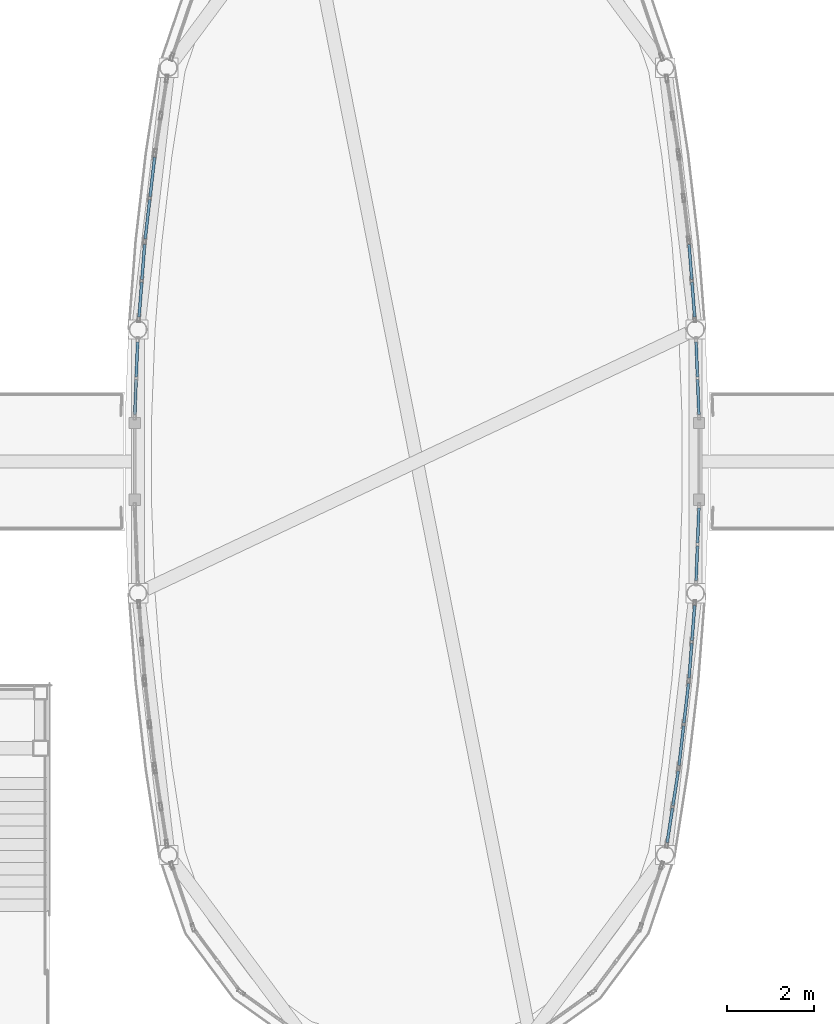
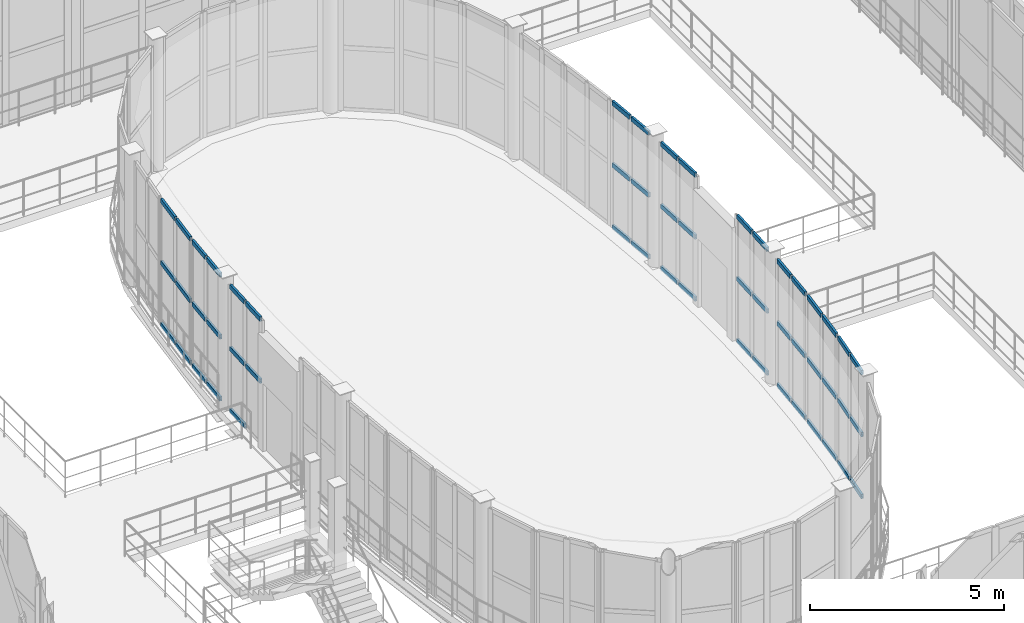
# One storey, part 74 of 121: 53 members, 9 elements without a shape of their own.
"""IFC4 building model written with IfcOpenShell, lengths in metres."""

from ifc_helpers import new_model, si_unit, direction, frame, origin, origin_2d, place, context, subcontext, project, spatial, hollow_rectangle, extrude, material, layer, layer_set, material_profile, profile_set, type_object, element, aggregate, save


model = new_model("IFC4")

# Units and contexts
model_context = context("Model", 3, precision=1e-05, world=origin(), true_north=direction((0.0, 1.0)))
body_context = subcontext(model_context, "Body", "Model", "MODEL_VIEW")
ifc_project = project(units=[si_unit("LENGTHUNIT", "METRE"), si_unit("AREAUNIT", "SQUARE_METRE"), si_unit("VOLUMEUNIT", "CUBIC_METRE"), si_unit("PLANEANGLEUNIT", "RADIAN"), si_unit("MASSUNIT", "GRAM", prefix="KILO")], contexts=[model_context])

# Site, building, storey
site_placement = place(None, origin())
site = spatial("IfcSite", under=ifc_project, at=site_placement, CompositionType="ELEMENT")
building_placement = place(site_placement, origin())
building = spatial("IfcBuilding", under=site, at=building_placement, Name="Vinh Khe Railworks Police Headquarters", CompositionType="ELEMENT")
storey_placement = place(building_placement, frame((0.0, 0.0, 4.800048828125)))
storey = spatial("IfcBuildingStorey", under=building, at=storey_placement, Name="L01", CompositionType="ELEMENT", Elevation=4.800048828125)

# Curtain wall, members
ifc_material_1 = material(Name="Anodised aluminium and acoustic laminated glass", Category="aluminium")
ifc_layer = layer(ifc_material_1, 0.159912109375)
ifc_layer_set = layer_set([ifc_layer], Name="Anodised aluminium and acoustic laminated glass")
curtain_wall_type = type_object("IfcCurtainWallType", Name="CW-DRUM-CHORD", PredefinedType="USERDEFINED", material=ifc_layer_set)
curtain_wall_1_placement = place(storey_placement, origin())
curtain_wall_1 = element("IfcCurtainWall", 1, at=curtain_wall_1_placement, inside=storey, type_object=curtain_wall_type, Name="Elliptical Command Drum Glazing L01 Chord 1", ObjectType="DRUM FACADE GLAZING", PredefinedType="USERDEFINED")
ifc_material_2 = material(Name="Anodised aluminium 6063-T6", Category="aluminium")
ifc_material_profile = material_profile(ifc_material_2, hollow_rectangle(XDim=0.06494140625, YDim=0.139892578125, WallThickness=0.00390625, at=origin_2d()), Name="CW-T 65x140x4")
ifc_profile_set = profile_set([ifc_material_profile], Name="Anodised aluminium 6063-T6")
member_type = type_object("IfcMemberType", Name="TRAN-CWT-02", PredefinedType="USERDEFINED", material=ifc_profile_set)
member_1_placement = place(storey_placement, frame((48.957275390625, 33.22900390625, 0.032470703125), z_axis=(0.153429584149, 0.988159583624, 0.0), x_axis=(-0.988159583624, 0.153429584149, 0.0)))
member_1 = element("IfcMember", 2, at=member_1_placement, type_object=member_type, Name="CW-02 transom 1.1", ObjectType="TRANSOM", PredefinedType="USERDEFINED", context=body_context, shape_type="SweptSolid", body=[
    extrude(hollow_rectangle(XDim=0.06494140625, YDim=0.139892578125, WallThickness=0.00390625, at=origin_2d()), origin(), (0.0, 0.0, 1.0), 0.802001953125),
])
member_2_placement = place(storey_placement, frame((48.957275390625, 33.22900390625, 1.98486328125), z_axis=(0.153429584149, 0.988159583624, 0.0), x_axis=(-0.988159583624, 0.153429584149, 0.0)))
member_2 = element("IfcMember", 3, at=member_2_placement, type_object=member_type, Name="CW-02 transom 1.2", ObjectType="TRANSOM", PredefinedType="USERDEFINED", context=body_context, shape_type="SweptSolid", body=[
    extrude(hollow_rectangle(XDim=0.06494140625, YDim=0.139892578125, WallThickness=0.00390625, at=origin_2d()), origin(), (0.0, 0.0, 1.0), 0.802001953125),
])
member_3_placement = place(storey_placement, frame((48.957275390625, 33.22900390625, 3.9375), z_axis=(0.153429584149, 0.988159583624, 0.0), x_axis=(-0.988159583624, 0.153429584149, 0.0)))
member_3 = element("IfcMember", 4, at=member_3_placement, type_object=member_type, Name="CW-02 transom 1.3", ObjectType="TRANSOM", PredefinedType="USERDEFINED", context=body_context, shape_type="SweptSolid", body=[
    extrude(hollow_rectangle(XDim=0.06494140625, YDim=0.139892578125, WallThickness=0.00390625, at=origin_2d()), origin(), (0.0, 0.0, 1.0), 0.802001953125),
])
member_4_placement = place(storey_placement, frame((49.09033203125, 34.085693359375, 0.032470703125), z_axis=(0.153680594828, 0.988120577042, 0.0), x_axis=(-0.988120577042, 0.153680594828, 0.0)))
member_4 = element("IfcMember", 5, at=member_4_placement, type_object=member_type, Name="CW-02 transom 2.1", ObjectType="TRANSOM", PredefinedType="USERDEFINED", context=body_context, shape_type="SweptSolid", body=[
    extrude(hollow_rectangle(XDim=0.06494140625, YDim=0.139892578125, WallThickness=0.00390625, at=origin_2d()), origin(), (0.0, 0.0, 1.0), 0.80224609375),
])
member_5_placement = place(storey_placement, frame((49.09033203125, 34.085693359375, 1.98486328125), z_axis=(0.153680594828, 0.988120577042, 0.0), x_axis=(-0.988120577042, 0.153680594828, 0.0)))
member_5 = element("IfcMember", 6, at=member_5_placement, type_object=member_type, Name="CW-02 transom 2.2", ObjectType="TRANSOM", PredefinedType="USERDEFINED", context=body_context, shape_type="SweptSolid", body=[
    extrude(hollow_rectangle(XDim=0.06494140625, YDim=0.139892578125, WallThickness=0.00390625, at=origin_2d()), origin(), (0.0, 0.0, 1.0), 0.80224609375),
])
member_6_placement = place(storey_placement, frame((49.09033203125, 34.085693359375, 3.9375), z_axis=(0.153680594828, 0.988120577042, 0.0), x_axis=(-0.988120577042, 0.153680594828, 0.0)))
member_6 = element("IfcMember", 7, at=member_6_placement, type_object=member_type, Name="CW-02 transom 2.3", ObjectType="TRANSOM", PredefinedType="USERDEFINED", context=body_context, shape_type="SweptSolid", body=[
    extrude(hollow_rectangle(XDim=0.06494140625, YDim=0.139892578125, WallThickness=0.00390625, at=origin_2d()), origin(), (0.0, 0.0, 1.0), 0.80224609375),
])
aggregate(curtain_wall_1, [member_1, member_2, member_3, member_4, member_5, member_6])

curtain_wall_2_placement = place(storey_placement, origin())
curtain_wall_2 = element("IfcCurtainWall", 8, at=curtain_wall_2_placement, inside=storey, type_object=curtain_wall_type, Name="Elliptical Command Drum Glazing L01 Chord 2", ObjectType="DRUM FACADE GLAZING", PredefinedType="USERDEFINED")
member_7_placement = place(storey_placement, frame((49.23095703125, 35.007080078125, 0.032470703125), z_axis=(0.115415034378, 0.993317356055, 0.0), x_axis=(-0.993317356055, 0.115415034378, 0.0)))
member_7 = element("IfcMember", 9, at=member_7_placement, type_object=member_type, Name="CW-02 transom 1.1", ObjectType="TRANSOM", PredefinedType="USERDEFINED", context=body_context, shape_type="SweptSolid", body=[
    extrude(hollow_rectangle(XDim=0.06494140625, YDim=0.139892578125, WallThickness=0.00390625, at=origin_2d()), origin(), (0.0, 0.0, 1.0), 0.913818359375),
])
member_8_placement = place(storey_placement, frame((49.23095703125, 35.007080078125, 1.98486328125), z_axis=(0.115415034378, 0.993317356055, 0.0), x_axis=(-0.993317356055, 0.115415034378, 0.0)))
member_8 = element("IfcMember", 10, at=member_8_placement, type_object=member_type, Name="CW-02 transom 1.2", ObjectType="TRANSOM", PredefinedType="USERDEFINED", context=body_context, shape_type="SweptSolid", body=[
    extrude(hollow_rectangle(XDim=0.06494140625, YDim=0.139892578125, WallThickness=0.00390625, at=origin_2d()), origin(), (0.0, 0.0, 1.0), 0.913818359375),
])
member_9_placement = place(storey_placement, frame((49.23095703125, 35.007080078125, 3.9375), z_axis=(0.115415034378, 0.993317356055, 0.0), x_axis=(-0.993317356055, 0.115415034378, 0.0)))
member_9 = element("IfcMember", 11, at=member_9_placement, type_object=member_type, Name="CW-02 transom 1.3", ObjectType="TRANSOM", PredefinedType="USERDEFINED", context=body_context, shape_type="SweptSolid", body=[
    extrude(hollow_rectangle(XDim=0.06494140625, YDim=0.139892578125, WallThickness=0.00390625, at=origin_2d()), origin(), (0.0, 0.0, 1.0), 0.913818359375),
])
member_10_placement = place(storey_placement, frame((49.34375, 35.979248046875, 0.032470703125), z_axis=(0.115415034378, 0.993317356055, 0.0), x_axis=(-0.993317356055, 0.115415034378, 0.0)))
member_10 = element("IfcMember", 12, at=member_10_placement, type_object=member_type, Name="CW-02 transom 2.1", ObjectType="TRANSOM", PredefinedType="USERDEFINED", context=body_context, shape_type="SweptSolid", body=[
    extrude(hollow_rectangle(XDim=0.06494140625, YDim=0.139892578125, WallThickness=0.00390625, at=origin_2d()), origin(), (0.0, 0.0, 1.0), 0.913818359375),
])
member_11_placement = place(storey_placement, frame((49.34375, 35.979248046875, 1.98486328125), z_axis=(0.115415034378, 0.993317356055, 0.0), x_axis=(-0.993317356055, 0.115415034378, 0.0)))
member_11 = element("IfcMember", 13, at=member_11_placement, type_object=member_type, Name="CW-02 transom 2.2", ObjectType="TRANSOM", PredefinedType="USERDEFINED", context=body_context, shape_type="SweptSolid", body=[
    extrude(hollow_rectangle(XDim=0.06494140625, YDim=0.139892578125, WallThickness=0.00390625, at=origin_2d()), origin(), (0.0, 0.0, 1.0), 0.913818359375),
])
member_12_placement = place(storey_placement, frame((49.34375, 35.979248046875, 3.9375), z_axis=(0.115415034378, 0.993317356055, 0.0), x_axis=(-0.993317356055, 0.115415034378, 0.0)))
member_12 = element("IfcMember", 14, at=member_12_placement, type_object=member_type, Name="CW-02 transom 2.3", ObjectType="TRANSOM", PredefinedType="USERDEFINED", context=body_context, shape_type="SweptSolid", body=[
    extrude(hollow_rectangle(XDim=0.06494140625, YDim=0.139892578125, WallThickness=0.00390625, at=origin_2d()), origin(), (0.0, 0.0, 1.0), 0.913818359375),
])
aggregate(curtain_wall_2, [member_7, member_8, member_9, member_10, member_11, member_12])

curtain_wall_3_placement = place(storey_placement, origin())
curtain_wall_3 = element("IfcCurtainWall", 15, at=curtain_wall_3_placement, inside=storey, type_object=curtain_wall_type, Name="Elliptical Command Drum Glazing L01 Chord 3", ObjectType="DRUM FACADE GLAZING", PredefinedType="USERDEFINED")
member_13_placement = place(storey_placement, frame((49.461669921875, 37.016357421875, 0.032470703125), z_axis=(0.077022420865, 0.997029360994, 0.0), x_axis=(-0.997029360994, 0.077022420865, 0.0)))
member_13 = element("IfcMember", 16, at=member_13_placement, type_object=member_type, Name="CW-02 transom 1.1", ObjectType="TRANSOM", PredefinedType="USERDEFINED", context=body_context, shape_type="SweptSolid", body=[
    extrude(hollow_rectangle(XDim=0.06494140625, YDim=0.139892578125, WallThickness=0.00390625, at=origin_2d()), origin(), (0.0, 0.0, 1.0), 0.802001953125),
])
member_14_placement = place(storey_placement, frame((49.461669921875, 37.016357421875, 1.98486328125), z_axis=(0.077022420865, 0.997029360994, 0.0), x_axis=(-0.997029360994, 0.077022420865, 0.0)))
member_14 = element("IfcMember", 17, at=member_14_placement, type_object=member_type, Name="CW-02 transom 1.2", ObjectType="TRANSOM", PredefinedType="USERDEFINED", context=body_context, shape_type="SweptSolid", body=[
    extrude(hollow_rectangle(XDim=0.06494140625, YDim=0.139892578125, WallThickness=0.00390625, at=origin_2d()), origin(), (0.0, 0.0, 1.0), 0.802001953125),
])
member_15_placement = place(storey_placement, frame((49.461669921875, 37.016357421875, 3.9375), z_axis=(0.077022420865, 0.997029360994, 0.0), x_axis=(-0.997029360994, 0.077022420865, 0.0)))
member_15 = element("IfcMember", 18, at=member_15_placement, type_object=member_type, Name="CW-02 transom 1.3", ObjectType="TRANSOM", PredefinedType="USERDEFINED", context=body_context, shape_type="SweptSolid", body=[
    extrude(hollow_rectangle(XDim=0.06494140625, YDim=0.139892578125, WallThickness=0.00390625, at=origin_2d()), origin(), (0.0, 0.0, 1.0), 0.802001953125),
])
member_16_placement = place(storey_placement, frame((49.528564453125, 37.880859375, 0.032470703125), z_axis=(0.076696498885, 0.997054485502, 0.0), x_axis=(-0.997054485502, 0.076696498885, 0.0)))
member_16 = element("IfcMember", 19, at=member_16_placement, type_object=member_type, Name="CW-02 transom 2.1", ObjectType="TRANSOM", PredefinedType="USERDEFINED", context=body_context, shape_type="SweptSolid", body=[
    extrude(hollow_rectangle(XDim=0.06494140625, YDim=0.139892578125, WallThickness=0.00390625, at=origin_2d()), origin(), (0.0, 0.0, 1.0), 0.80224609375),
])
member_17_placement = place(storey_placement, frame((49.528564453125, 37.880859375, 1.98486328125), z_axis=(0.076696498885, 0.997054485502, 0.0), x_axis=(-0.997054485502, 0.076696498885, 0.0)))
member_17 = element("IfcMember", 20, at=member_17_placement, type_object=member_type, Name="CW-02 transom 2.2", ObjectType="TRANSOM", PredefinedType="USERDEFINED", context=body_context, shape_type="SweptSolid", body=[
    extrude(hollow_rectangle(XDim=0.06494140625, YDim=0.139892578125, WallThickness=0.00390625, at=origin_2d()), origin(), (0.0, 0.0, 1.0), 0.80224609375),
])
member_18_placement = place(storey_placement, frame((49.528564453125, 37.880859375, 3.9375), z_axis=(0.076696498885, 0.997054485502, 0.0), x_axis=(-0.997054485502, 0.076696498885, 0.0)))
member_18 = element("IfcMember", 21, at=member_18_placement, type_object=member_type, Name="CW-02 transom 2.3", ObjectType="TRANSOM", PredefinedType="USERDEFINED", context=body_context, shape_type="SweptSolid", body=[
    extrude(hollow_rectangle(XDim=0.06494140625, YDim=0.139892578125, WallThickness=0.00390625, at=origin_2d()), origin(), (0.0, 0.0, 1.0), 0.80224609375),
])
aggregate(curtain_wall_3, [member_13, member_14, member_15, member_16, member_17, member_18])

curtain_wall_4_placement = place(storey_placement, origin())
curtain_wall_4 = element("IfcCurtainWall", 22, at=curtain_wall_4_placement, inside=storey, type_object=curtain_wall_type, Name="Elliptical Command Drum Glazing L01 Chord 4", ObjectType="DRUM FACADE GLAZING", PredefinedType="USERDEFINED")
member_19_placement = place(storey_placement, frame((49.62353515625, 39.255859375, 0.032470703125), z_axis=(0.038351295804, 0.999264318441, 0.0), x_axis=(-0.999264318441, 0.038351295804, 0.0)))
member_19 = element("IfcMember", 23, at=member_19_placement, type_object=member_type, Name="CW-02 transom 1.1", ObjectType="TRANSOM", PredefinedType="USERDEFINED", context=body_context, shape_type="SweptSolid", body=[
    extrude(hollow_rectangle(XDim=0.06494140625, YDim=0.139892578125, WallThickness=0.00390625, at=origin_2d()), origin(), (0.0, 0.0, 1.0), 0.802001953125),
])
member_20_placement = place(storey_placement, frame((49.62353515625, 39.255859375, 1.98486328125), z_axis=(0.038351295804, 0.999264318441, 0.0), x_axis=(-0.999264318441, 0.038351295804, 0.0)))
member_20 = element("IfcMember", 24, at=member_20_placement, type_object=member_type, Name="CW-02 transom 1.2", ObjectType="TRANSOM", PredefinedType="USERDEFINED", context=body_context, shape_type="SweptSolid", body=[
    extrude(hollow_rectangle(XDim=0.06494140625, YDim=0.139892578125, WallThickness=0.00390625, at=origin_2d()), origin(), (0.0, 0.0, 1.0), 0.802001953125),
])
member_21_placement = place(storey_placement, frame((49.62353515625, 39.255859375, 3.9375), z_axis=(0.038351295804, 0.999264318441, 0.0), x_axis=(-0.999264318441, 0.038351295804, 0.0)))
member_21 = element("IfcMember", 25, at=member_21_placement, type_object=member_type, Name="CW-02 transom 1.3", ObjectType="TRANSOM", PredefinedType="USERDEFINED", context=body_context, shape_type="SweptSolid", body=[
    extrude(hollow_rectangle(XDim=0.06494140625, YDim=0.139892578125, WallThickness=0.00390625, at=origin_2d()), origin(), (0.0, 0.0, 1.0), 0.802001953125),
])
member_22_placement = place(storey_placement, frame((49.656982421875, 40.122314453125, 0.032470703125), z_axis=(0.038351295804, 0.999264318441, 0.0), x_axis=(-0.999264318441, 0.038351295804, 0.0)))
member_22 = element("IfcMember", 26, at=member_22_placement, type_object=member_type, Name="CW-02 transom 2.1", ObjectType="TRANSOM", PredefinedType="USERDEFINED", context=body_context, shape_type="SweptSolid", body=[
    extrude(hollow_rectangle(XDim=0.06494140625, YDim=0.139892578125, WallThickness=0.00390625, at=origin_2d()), origin(), (0.0, 0.0, 1.0), 0.802001953125),
])
member_23_placement = place(storey_placement, frame((49.656982421875, 40.122314453125, 1.98486328125), z_axis=(0.038351295804, 0.999264318441, 0.0), x_axis=(-0.999264318441, 0.038351295804, 0.0)))
member_23 = element("IfcMember", 27, at=member_23_placement, type_object=member_type, Name="CW-02 transom 2.2", ObjectType="TRANSOM", PredefinedType="USERDEFINED", context=body_context, shape_type="SweptSolid", body=[
    extrude(hollow_rectangle(XDim=0.06494140625, YDim=0.139892578125, WallThickness=0.00390625, at=origin_2d()), origin(), (0.0, 0.0, 1.0), 0.802001953125),
])
member_24_placement = place(storey_placement, frame((49.656982421875, 40.122314453125, 3.9375), z_axis=(0.038351295804, 0.999264318441, 0.0), x_axis=(-0.999264318441, 0.038351295804, 0.0)))
member_24 = element("IfcMember", 28, at=member_24_placement, type_object=member_type, Name="CW-02 transom 2.3", ObjectType="TRANSOM", PredefinedType="USERDEFINED", context=body_context, shape_type="SweptSolid", body=[
    extrude(hollow_rectangle(XDim=0.06494140625, YDim=0.139892578125, WallThickness=0.00390625, at=origin_2d()), origin(), (0.0, 0.0, 1.0), 0.802001953125),
])
aggregate(curtain_wall_4, [member_19, member_20, member_21, member_22, member_23, member_24])

curtain_wall_5_placement = place(storey_placement, origin())
curtain_wall_5 = element("IfcCurtainWall", 29, at=curtain_wall_5_placement, inside=storey, type_object=curtain_wall_type, Name="Elliptical Command Drum Glazing L01 Chord 6", ObjectType="DRUM FACADE GLAZING", PredefinedType="USERDEFINED")
member_25_placement = place(storey_placement, frame((49.687744140625, 43.076171875, 0.032470703125), z_axis=(-0.038351295804, 0.999264318441, 0.0), x_axis=(-0.999264318441, -0.038351295804, 0.0)))
member_25 = element("IfcMember", 30, at=member_25_placement, type_object=member_type, Name="CW-02 transom 1.1", ObjectType="TRANSOM", PredefinedType="USERDEFINED", context=body_context, shape_type="SweptSolid", body=[
    extrude(hollow_rectangle(XDim=0.06494140625, YDim=0.139892578125, WallThickness=0.00390625, at=origin_2d()), origin(), (0.0, 0.0, 1.0), 0.802001953125),
])
member_26_placement = place(storey_placement, frame((49.687744140625, 43.076171875, 1.98486328125), z_axis=(-0.038351295804, 0.999264318441, 0.0), x_axis=(-0.999264318441, -0.038351295804, 0.0)))
member_26 = element("IfcMember", 31, at=member_26_placement, type_object=member_type, Name="CW-02 transom 1.2", ObjectType="TRANSOM", PredefinedType="USERDEFINED", context=body_context, shape_type="SweptSolid", body=[
    extrude(hollow_rectangle(XDim=0.06494140625, YDim=0.139892578125, WallThickness=0.00390625, at=origin_2d()), origin(), (0.0, 0.0, 1.0), 0.802001953125),
])
member_27_placement = place(storey_placement, frame((49.687744140625, 43.076171875, 3.9375), z_axis=(-0.038351295804, 0.999264318441, 0.0), x_axis=(-0.999264318441, -0.038351295804, 0.0)))
member_27 = element("IfcMember", 32, at=member_27_placement, type_object=member_type, Name="CW-02 transom 1.3", ObjectType="TRANSOM", PredefinedType="USERDEFINED", context=body_context, shape_type="SweptSolid", body=[
    extrude(hollow_rectangle(XDim=0.06494140625, YDim=0.139892578125, WallThickness=0.00390625, at=origin_2d()), origin(), (0.0, 0.0, 1.0), 0.802001953125),
])
member_28_placement = place(storey_placement, frame((49.654296875, 43.942626953125, 0.032470703125), z_axis=(-0.038351295804, 0.999264318441, 0.0), x_axis=(-0.999264318441, -0.038351295804, 0.0)))
member_28 = element("IfcMember", 33, at=member_28_placement, type_object=member_type, Name="CW-02 transom 2.1", ObjectType="TRANSOM", PredefinedType="USERDEFINED", context=body_context, shape_type="SweptSolid", body=[
    extrude(hollow_rectangle(XDim=0.06494140625, YDim=0.139892578125, WallThickness=0.00390625, at=origin_2d()), origin(), (0.0, 0.0, 1.0), 0.802001953125),
])
member_29_placement = place(storey_placement, frame((49.654296875, 43.942626953125, 1.98486328125), z_axis=(-0.038351295804, 0.999264318441, 0.0), x_axis=(-0.999264318441, -0.038351295804, 0.0)))
member_29 = element("IfcMember", 34, at=member_29_placement, type_object=member_type, Name="CW-02 transom 2.2", ObjectType="TRANSOM", PredefinedType="USERDEFINED", context=body_context, shape_type="SweptSolid", body=[
    extrude(hollow_rectangle(XDim=0.06494140625, YDim=0.139892578125, WallThickness=0.00390625, at=origin_2d()), origin(), (0.0, 0.0, 1.0), 0.802001953125),
])
member_30_placement = place(storey_placement, frame((49.654296875, 43.942626953125, 3.9375), z_axis=(-0.038351295804, 0.999264318441, 0.0), x_axis=(-0.999264318441, -0.038351295804, 0.0)))
member_30 = element("IfcMember", 35, at=member_30_placement, type_object=member_type, Name="CW-02 transom 2.3", ObjectType="TRANSOM", PredefinedType="USERDEFINED", context=body_context, shape_type="SweptSolid", body=[
    extrude(hollow_rectangle(XDim=0.06494140625, YDim=0.139892578125, WallThickness=0.00390625, at=origin_2d()), origin(), (0.0, 0.0, 1.0), 0.802001953125),
])
aggregate(curtain_wall_5, [member_25, member_26, member_27, member_28, member_29, member_30])

curtain_wall_6_placement = place(storey_placement, origin())
curtain_wall_6 = element("IfcCurtainWall", 36, at=curtain_wall_6_placement, inside=storey, type_object=curtain_wall_type, Name="Elliptical Command Drum Glazing L01 Chord 7", ObjectType="DRUM FACADE GLAZING", PredefinedType="USERDEFINED")
member_31_placement = place(storey_placement, frame((49.590087890625, 45.3193359375, 0.032470703125), z_axis=(-0.076696498885, 0.997054485502, 0.0), x_axis=(-0.997054485502, -0.076696498885, 0.0)))
member_31 = element("IfcMember", 37, at=member_31_placement, type_object=member_type, Name="CW-02 transom 1.1", ObjectType="TRANSOM", PredefinedType="USERDEFINED", context=body_context, shape_type="SweptSolid", body=[
    extrude(hollow_rectangle(XDim=0.06494140625, YDim=0.139892578125, WallThickness=0.00390625, at=origin_2d()), origin(), (0.0, 0.0, 1.0), 0.80224609375),
])
member_32_placement = place(storey_placement, frame((49.590087890625, 45.3193359375, 1.98486328125), z_axis=(-0.076696498885, 0.997054485502, 0.0), x_axis=(-0.997054485502, -0.076696498885, 0.0)))
member_32 = element("IfcMember", 38, at=member_32_placement, type_object=member_type, Name="CW-02 transom 1.2", ObjectType="TRANSOM", PredefinedType="USERDEFINED", context=body_context, shape_type="SweptSolid", body=[
    extrude(hollow_rectangle(XDim=0.06494140625, YDim=0.139892578125, WallThickness=0.00390625, at=origin_2d()), origin(), (0.0, 0.0, 1.0), 0.80224609375),
])
member_33_placement = place(storey_placement, frame((49.590087890625, 45.3193359375, 3.9375), z_axis=(-0.076696498885, 0.997054485502, 0.0), x_axis=(-0.997054485502, -0.076696498885, 0.0)))
member_33 = element("IfcMember", 39, at=member_33_placement, type_object=member_type, Name="CW-02 transom 1.3", ObjectType="TRANSOM", PredefinedType="USERDEFINED", context=body_context, shape_type="SweptSolid", body=[
    extrude(hollow_rectangle(XDim=0.06494140625, YDim=0.139892578125, WallThickness=0.00390625, at=origin_2d()), origin(), (0.0, 0.0, 1.0), 0.80224609375),
])
member_34_placement = place(storey_placement, frame((49.5234375, 46.18408203125, 0.032470703125), z_axis=(-0.077022420865, 0.997029360994, 0.0), x_axis=(-0.997029360994, -0.077022420865, 0.0)))
member_34 = element("IfcMember", 40, at=member_34_placement, type_object=member_type, Name="CW-02 transom 2.1", ObjectType="TRANSOM", PredefinedType="USERDEFINED", context=body_context, shape_type="SweptSolid", body=[
    extrude(hollow_rectangle(XDim=0.06494140625, YDim=0.139892578125, WallThickness=0.00390625, at=origin_2d()), origin(), (0.0, 0.0, 1.0), 0.802001953125),
])
member_35_placement = place(storey_placement, frame((49.5234375, 46.18408203125, 1.98486328125), z_axis=(-0.077022420865, 0.997029360994, 0.0), x_axis=(-0.997029360994, -0.077022420865, 0.0)))
member_35 = element("IfcMember", 41, at=member_35_placement, type_object=member_type, Name="CW-02 transom 2.2", ObjectType="TRANSOM", PredefinedType="USERDEFINED", context=body_context, shape_type="SweptSolid", body=[
    extrude(hollow_rectangle(XDim=0.06494140625, YDim=0.139892578125, WallThickness=0.00390625, at=origin_2d()), origin(), (0.0, 0.0, 1.0), 0.802001953125),
])
member_36_placement = place(storey_placement, frame((49.5234375, 46.18408203125, 3.9375), z_axis=(-0.077022420865, 0.997029360994, 0.0), x_axis=(-0.997029360994, -0.077022420865, 0.0)))
member_36 = element("IfcMember", 42, at=member_36_placement, type_object=member_type, Name="CW-02 transom 2.3", ObjectType="TRANSOM", PredefinedType="USERDEFINED", context=body_context, shape_type="SweptSolid", body=[
    extrude(hollow_rectangle(XDim=0.06494140625, YDim=0.139892578125, WallThickness=0.00390625, at=origin_2d()), origin(), (0.0, 0.0, 1.0), 0.802001953125),
])
aggregate(curtain_wall_6, [member_31, member_32, member_33, member_34, member_35, member_36])

curtain_wall_7_placement = place(storey_placement, origin())
curtain_wall_7 = element("IfcCurtainWall", 43, at=curtain_wall_7_placement, inside=storey, type_object=curtain_wall_type, Name="Elliptical Command Drum Glazing L01 Chord 20", ObjectType="DRUM FACADE GLAZING", PredefinedType="USERDEFINED")
member_37_placement = place(storey_placement, frame((37.1689453125, 48.992919921875, 0.032470703125), z_axis=(-0.115151416561, -0.993347950752, 0.0), x_axis=(0.993347950752, -0.115151416561, 0.0)))
member_37 = element("IfcMember", 44, at=member_37_placement, type_object=member_type, Name="CW-02 transom 1.1", ObjectType="TRANSOM", PredefinedType="USERDEFINED", context=body_context, shape_type="SweptSolid", body=[
    extrude(hollow_rectangle(XDim=0.06494140625, YDim=0.139892578125, WallThickness=0.00390625, at=origin_2d()), origin(), (0.0, 0.0, 1.0), 0.913818359375),
])
member_38_placement = place(storey_placement, frame((37.1689453125, 48.992919921875, 1.98486328125), z_axis=(-0.115151416561, -0.993347950752, 0.0), x_axis=(0.993347950752, -0.115151416561, 0.0)))
member_38 = element("IfcMember", 45, at=member_38_placement, type_object=member_type, Name="CW-02 transom 1.2", ObjectType="TRANSOM", PredefinedType="USERDEFINED", context=body_context, shape_type="SweptSolid", body=[
    extrude(hollow_rectangle(XDim=0.06494140625, YDim=0.139892578125, WallThickness=0.00390625, at=origin_2d()), origin(), (0.0, 0.0, 1.0), 0.913818359375),
])
member_39_placement = place(storey_placement, frame((37.1689453125, 48.992919921875, 3.9375), z_axis=(-0.115151416561, -0.993347950752, 0.0), x_axis=(0.993347950752, -0.115151416561, 0.0)))
member_39 = element("IfcMember", 46, at=member_39_placement, type_object=member_type, Name="CW-02 transom 1.3", ObjectType="TRANSOM", PredefinedType="USERDEFINED", context=body_context, shape_type="SweptSolid", body=[
    extrude(hollow_rectangle(XDim=0.06494140625, YDim=0.139892578125, WallThickness=0.00390625, at=origin_2d()), origin(), (0.0, 0.0, 1.0), 0.913818359375),
])
member_40_placement = place(storey_placement, frame((37.05615234375, 48.020751953125, 0.032470703125), z_axis=(-0.115415034378, -0.993317356055, 0.0), x_axis=(0.993317356055, -0.115415034378, 0.0)))
member_40 = element("IfcMember", 47, at=member_40_placement, type_object=member_type, Name="CW-02 transom 2.1", ObjectType="TRANSOM", PredefinedType="USERDEFINED", context=body_context, shape_type="SweptSolid", body=[
    extrude(hollow_rectangle(XDim=0.06494140625, YDim=0.139892578125, WallThickness=0.00390625, at=origin_2d()), origin(), (0.0, 0.0, 1.0), 0.913818359375),
])
member_41_placement = place(storey_placement, frame((37.05615234375, 48.020751953125, 1.98486328125), z_axis=(-0.115415034378, -0.993317356055, 0.0), x_axis=(0.993317356055, -0.115415034378, 0.0)))
member_41 = element("IfcMember", 48, at=member_41_placement, type_object=member_type, Name="CW-02 transom 2.2", ObjectType="TRANSOM", PredefinedType="USERDEFINED", context=body_context, shape_type="SweptSolid", body=[
    extrude(hollow_rectangle(XDim=0.06494140625, YDim=0.139892578125, WallThickness=0.00390625, at=origin_2d()), origin(), (0.0, 0.0, 1.0), 0.913818359375),
])
member_42_placement = place(storey_placement, frame((37.05615234375, 48.020751953125, 3.9375), z_axis=(-0.115415034378, -0.993317356055, 0.0), x_axis=(0.993317356055, -0.115415034378, 0.0)))
member_42 = element("IfcMember", 49, at=member_42_placement, type_object=member_type, Name="CW-02 transom 2.3", ObjectType="TRANSOM", PredefinedType="USERDEFINED", context=body_context, shape_type="SweptSolid", body=[
    extrude(hollow_rectangle(XDim=0.06494140625, YDim=0.139892578125, WallThickness=0.00390625, at=origin_2d()), origin(), (0.0, 0.0, 1.0), 0.913818359375),
])
aggregate(curtain_wall_7, [member_37, member_38, member_39, member_40, member_41, member_42])

curtain_wall_8_placement = place(storey_placement, origin())
curtain_wall_8 = element("IfcCurtainWall", 50, at=curtain_wall_8_placement, inside=storey, type_object=curtain_wall_type, Name="Elliptical Command Drum Glazing L01 Chord 21", ObjectType="DRUM FACADE GLAZING", PredefinedType="USERDEFINED")
member_43_placement = place(storey_placement, frame((36.938232421875, 46.983642578125, 0.032470703125), z_axis=(-0.077022420865, -0.997029360994, 0.0), x_axis=(0.997029360994, -0.077022420865, 0.0)))
member_43 = element("IfcMember", 51, at=member_43_placement, type_object=member_type, Name="CW-02 transom 1.1", ObjectType="TRANSOM", PredefinedType="USERDEFINED", context=body_context, shape_type="SweptSolid", body=[
    extrude(hollow_rectangle(XDim=0.06494140625, YDim=0.139892578125, WallThickness=0.00390625, at=origin_2d()), origin(), (0.0, 0.0, 1.0), 0.802001953125),
])
member_44_placement = place(storey_placement, frame((36.938232421875, 46.983642578125, 1.98486328125), z_axis=(-0.077022420865, -0.997029360994, 0.0), x_axis=(0.997029360994, -0.077022420865, 0.0)))
member_44 = element("IfcMember", 52, at=member_44_placement, type_object=member_type, Name="CW-02 transom 1.2", ObjectType="TRANSOM", PredefinedType="USERDEFINED", context=body_context, shape_type="SweptSolid", body=[
    extrude(hollow_rectangle(XDim=0.06494140625, YDim=0.139892578125, WallThickness=0.00390625, at=origin_2d()), origin(), (0.0, 0.0, 1.0), 0.802001953125),
])
member_45_placement = place(storey_placement, frame((36.938232421875, 46.983642578125, 3.9375), z_axis=(-0.077022420865, -0.997029360994, 0.0), x_axis=(0.997029360994, -0.077022420865, 0.0)))
member_45 = element("IfcMember", 53, at=member_45_placement, type_object=member_type, Name="CW-02 transom 1.3", ObjectType="TRANSOM", PredefinedType="USERDEFINED", context=body_context, shape_type="SweptSolid", body=[
    extrude(hollow_rectangle(XDim=0.06494140625, YDim=0.139892578125, WallThickness=0.00390625, at=origin_2d()), origin(), (0.0, 0.0, 1.0), 0.802001953125),
])
member_46_placement = place(storey_placement, frame((36.87158203125, 46.119140625, 0.032470703125), z_axis=(-0.076999049162, -0.997031166227, 0.0), x_axis=(0.997031166227, -0.076999049162, 0.0)))
member_46 = element("IfcMember", 54, at=member_46_placement, type_object=member_type, Name="CW-02 transom 2.1", ObjectType="TRANSOM", PredefinedType="USERDEFINED", context=body_context, shape_type="SweptSolid", body=[
    extrude(hollow_rectangle(XDim=0.06494140625, YDim=0.139892578125, WallThickness=0.00390625, at=origin_2d()), origin(), (0.0, 0.0, 1.0), 0.80224609375),
])
member_47_placement = place(storey_placement, frame((36.87158203125, 46.119140625, 1.98486328125), z_axis=(-0.076999049162, -0.997031166227, 0.0), x_axis=(0.997031166227, -0.076999049162, 0.0)))
member_47 = element("IfcMember", 55, at=member_47_placement, type_object=member_type, Name="CW-02 transom 2.2", ObjectType="TRANSOM", PredefinedType="USERDEFINED", context=body_context, shape_type="SweptSolid", body=[
    extrude(hollow_rectangle(XDim=0.06494140625, YDim=0.139892578125, WallThickness=0.00390625, at=origin_2d()), origin(), (0.0, 0.0, 1.0), 0.80224609375),
])
member_48_placement = place(storey_placement, frame((36.87158203125, 46.119140625, 3.9375), z_axis=(-0.076999049162, -0.997031166227, 0.0), x_axis=(0.997031166227, -0.076999049162, 0.0)))
member_48 = element("IfcMember", 56, at=member_48_placement, type_object=member_type, Name="CW-02 transom 2.3", ObjectType="TRANSOM", PredefinedType="USERDEFINED", context=body_context, shape_type="SweptSolid", body=[
    extrude(hollow_rectangle(XDim=0.06494140625, YDim=0.139892578125, WallThickness=0.00390625, at=origin_2d()), origin(), (0.0, 0.0, 1.0), 0.80224609375),
])
aggregate(curtain_wall_8, [member_43, member_44, member_45, member_46, member_47, member_48])

curtain_wall_9_placement = place(storey_placement, origin())
curtain_wall_9 = element("IfcCurtainWall", 57, at=curtain_wall_9_placement, inside=storey, type_object=curtain_wall_type, Name="Elliptical Command Drum Glazing L01 Chord 22", ObjectType="DRUM FACADE GLAZING", PredefinedType="USERDEFINED")
member_49_placement = place(storey_placement, frame((36.776611328125, 44.744140625, 0.032470703125), z_axis=(-0.03865521815, -0.999252607757, 0.0), x_axis=(0.999252607757, -0.03865521815, 0.0)))
member_49 = element("IfcMember", 58, at=member_49_placement, type_object=member_type, Name="CW-02 transom 1.1", ObjectType="TRANSOM", PredefinedType="USERDEFINED", context=body_context, shape_type="SweptSolid", body=[
    extrude(hollow_rectangle(XDim=0.06494140625, YDim=0.139892578125, WallThickness=0.00390625, at=origin_2d()), origin(), (0.0, 0.0, 1.0), 0.802001953125),
])
member_50_placement = place(storey_placement, frame((36.776611328125, 44.744140625, 1.98486328125), z_axis=(-0.03865521815, -0.999252607757, 0.0), x_axis=(0.999252607757, -0.03865521815, 0.0)))
member_50 = element("IfcMember", 59, at=member_50_placement, type_object=member_type, Name="CW-02 transom 1.2", ObjectType="TRANSOM", PredefinedType="USERDEFINED", context=body_context, shape_type="SweptSolid", body=[
    extrude(hollow_rectangle(XDim=0.06494140625, YDim=0.139892578125, WallThickness=0.00390625, at=origin_2d()), origin(), (0.0, 0.0, 1.0), 0.802001953125),
])
member_51_placement = place(storey_placement, frame((36.776611328125, 44.744140625, 3.9375), z_axis=(-0.03865521815, -0.999252607757, 0.0), x_axis=(0.999252607757, -0.03865521815, 0.0)))
member_51 = element("IfcMember", 60, at=member_51_placement, type_object=member_type, Name="CW-02 transom 1.3", ObjectType="TRANSOM", PredefinedType="USERDEFINED", context=body_context, shape_type="SweptSolid", body=[
    extrude(hollow_rectangle(XDim=0.06494140625, YDim=0.139892578125, WallThickness=0.00390625, at=origin_2d()), origin(), (0.0, 0.0, 1.0), 0.802001953125),
])
member_52_placement = place(storey_placement, frame((36.7431640625, 43.877685546875, 1.98486328125), z_axis=(-0.03865521815, -0.999252607757, 0.0), x_axis=(0.999252607757, -0.03865521815, 0.0)))
member_52 = element("IfcMember", 61, at=member_52_placement, type_object=member_type, Name="CW-02 transom 2.2", ObjectType="TRANSOM", PredefinedType="USERDEFINED", context=body_context, shape_type="SweptSolid", body=[
    extrude(hollow_rectangle(XDim=0.06494140625, YDim=0.139892578125, WallThickness=0.00390625, at=origin_2d()), origin(), (0.0, 0.0, 1.0), 0.802001953125),
])
member_53_placement = place(storey_placement, frame((36.7431640625, 43.877685546875, 3.9375), z_axis=(-0.03865521815, -0.999252607757, 0.0), x_axis=(0.999252607757, -0.03865521815, 0.0)))
member_53 = element("IfcMember", 62, at=member_53_placement, type_object=member_type, Name="CW-02 transom 2.3", ObjectType="TRANSOM", PredefinedType="USERDEFINED", context=body_context, shape_type="SweptSolid", body=[
    extrude(hollow_rectangle(XDim=0.06494140625, YDim=0.139892578125, WallThickness=0.00390625, at=origin_2d()), origin(), (0.0, 0.0, 1.0), 0.802001953125),
])
aggregate(curtain_wall_9, [member_49, member_50, member_51, member_52, member_53])

save(model, "model.ifc")
